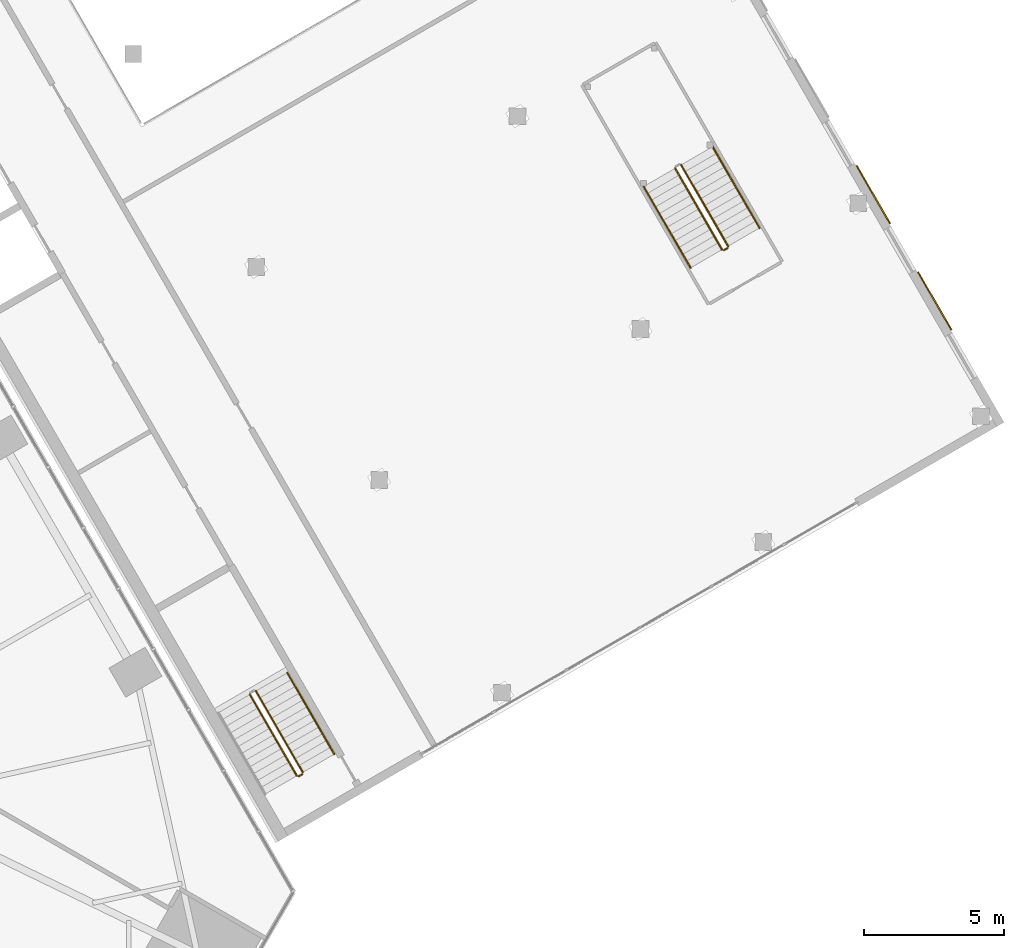
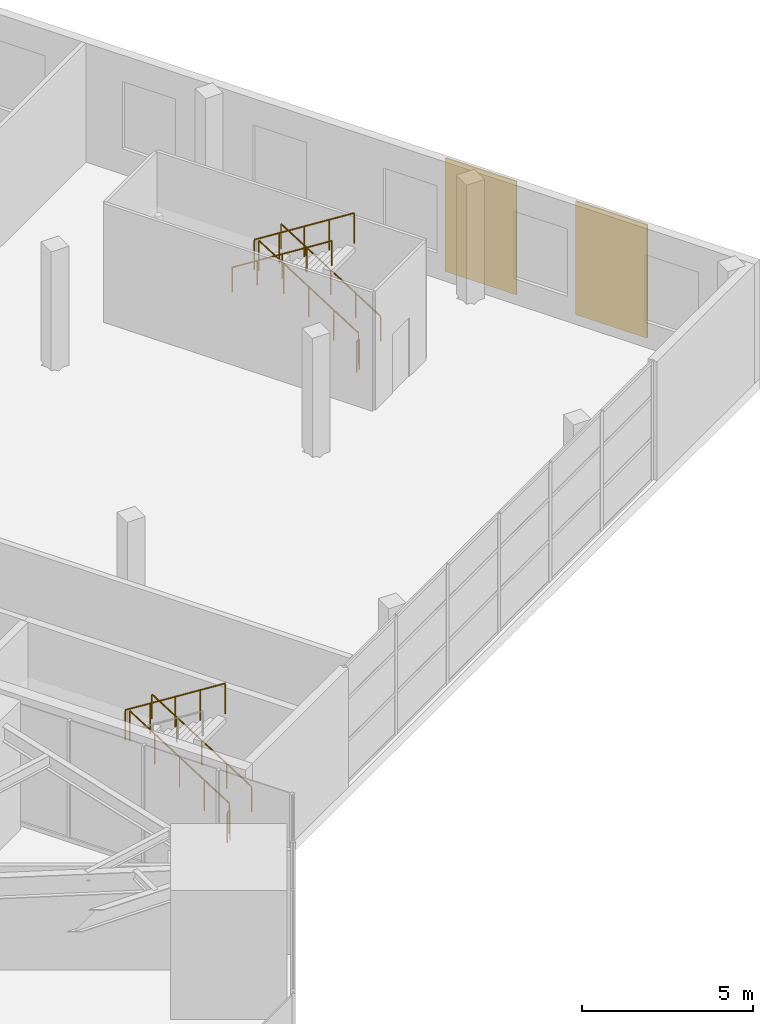
# One storey, part 27 of 30: 9 railings, 2 coverings.
"""IFC4 building model written with IfcOpenShell, lengths in metres."""

import ifcopenshell
import ifcopenshell.guid

model = None  # the IFC model being written
_history = None  # IfcOwnerHistory: only IFC2X3 demands one
_inside = {}  # id of a spatial element -> (the spatial element, [elements in it])
_under = {}  # id of a project, library or spatial element -> (it, [spatial elements below it])
_declared = {}  # id of a project -> (the project, [libraries it declares])
_typed = {}  # id of a type object -> (the type object, [elements of that type])
_made_of = {}  # id of a material, layer set ... -> (it, [elements and type objects made of it])


def new_model(schema):
    """Start an empty IFC model of exactly this schema.

    Asked for "IFC4X3", IfcOpenShell would pick the latest addendum, in which some entities
    have other attributes; the version numbers below select the first issue.
    IFC2X3 requires an IfcOwnerHistory on every rooted entity: one is made here for all.
    """
    global model, _history
    if schema == "IFC4X3":
        model = ifcopenshell.file(schema_version=(4, 3, 0, 0))
    else:
        model = ifcopenshell.file(schema=schema)
    _inside.clear()
    _under.clear()
    _declared.clear()
    _typed.clear()
    _made_of.clear()
    _history = None
    if model.schema == "IFC2X3":
        org = make("IfcOrganization", Name="unknown")
        user = make(
            "IfcPersonAndOrganization",
            ThePerson=make("IfcPerson", FamilyName="unknown"),
            TheOrganization=org,
        )
        app = make(
            "IfcApplication",
            ApplicationDeveloper=org,
            Version="unknown",
            ApplicationFullName="unknown",
            ApplicationIdentifier="unknown",
        )
        _history = make(
            "IfcOwnerHistory",
            OwningUser=user,
            OwningApplication=app,
            ChangeAction="ADDED",
            CreationDate=0,
        )
    return model


def make(cls, **values):
    """One entity of the class cls with the attributes given. An attribute that is None is left unset."""
    return model.create_entity(
        cls, **{name: value for name, value in values.items() if value is not None}
    )


def rooted(cls, **values):
    """An entity with a GlobalId (a new one), such as an element, a storey or a relation."""
    return make(cls, GlobalId=ifcopenshell.guid.new(), OwnerHistory=_history, **values)


def si_unit(unit_type, name, prefix=None):
    """IfcSIUnit, for example si_unit("LENGTHUNIT", "METRE", prefix="MILLI")."""
    return make("IfcSIUnit", UnitType=unit_type, Prefix=prefix, Name=name)


def assignment(units):
    """IfcUnitAssignment: the units of a project."""
    return None if units is None else make("IfcUnitAssignment", Units=units)


def point(xyz):
    """IfcCartesianPoint."""
    return None if xyz is None else make("IfcCartesianPoint", Coordinates=xyz)


def direction(xyz):
    """IfcDirection."""
    return None if xyz is None else make("IfcDirection", DirectionRatios=xyz)


def frame(location, z_axis=None, x_axis=None):
    """IfcAxis2Placement3D, a coordinate frame: its origin and axes. An axis left out is left unset."""
    return make(
        "IfcAxis2Placement3D",
        Location=point(location),
        Axis=direction(z_axis),
        RefDirection=direction(x_axis),
    )


def frame_2d(location, x_axis=None):
    """IfcAxis2Placement2D, a coordinate frame in the plane: its origin and x axis."""
    return make(
        "IfcAxis2Placement2D", Location=point(location), RefDirection=direction(x_axis)
    )


def origin():
    """The frame at (0, 0, 0) with its axes left unset."""
    return frame((0.0, 0.0, 0.0))


def origin_2d():
    """The frame at (0, 0) in the plane with its x axis left unset."""
    return frame_2d((0.0, 0.0))


def place(relative_to, where):
    """IfcLocalPlacement: puts the frame where relative to a parent placement (None: the world)."""
    return make(
        "IfcLocalPlacement", PlacementRelTo=relative_to, RelativePlacement=where
    )


def context(
    kind, dimensions, precision=None, world=None, true_north=None, identifier=None
):
    """IfcGeometricRepresentationContext, for example the 3D "Model" context."""
    return make(
        "IfcGeometricRepresentationContext",
        ContextIdentifier=identifier,
        ContextType=kind,
        CoordinateSpaceDimension=dimensions,
        Precision=precision,
        WorldCoordinateSystem=world,
        TrueNorth=true_north,
    )


def subcontext(parent, identifier, kind, view, scale=None):
    """IfcGeometricRepresentationSubContext, for example "Body" below "Model"."""
    return make(
        "IfcGeometricRepresentationSubContext",
        ContextIdentifier=identifier,
        ContextType=kind,
        ParentContext=parent,
        TargetScale=scale,
        TargetView=view,
    )


def project(units=None, contexts=None):
    """IfcProject with its units and contexts."""
    return rooted(
        "IfcProject",
        Name="project",
        RepresentationContexts=contexts,
        UnitsInContext=assignment(units),
    )


def spatial(cls, under=None, at=None, **own):
    """A site, building, storey or space (cls), placed at a placement, below another one or the project."""
    s = rooted(cls, ObjectPlacement=at, **own)
    if under is not None:
        _under.setdefault(under.id(), (under, []))[1].append(s)
    return s


def profile(cls, at=None, kind="AREA", **sizes):
    """A parametric profile (cls). Its sizes go by their IFC names, for example OverallWidth=200.0."""
    return make(cls, ProfileType=kind, Position=at, **sizes)


def rectangle(**sizes):
    """IfcRectangleProfileDef."""
    return profile("IfcRectangleProfileDef", **sizes)


def circle(**sizes):
    """IfcCircleProfileDef."""
    return profile("IfcCircleProfileDef", **sizes)


def extrude(swept, where, along, depth):
    """IfcExtrudedAreaSolid: the profile swept, set in the frame where, extruded along a direction by depth."""
    return make(
        "IfcExtrudedAreaSolid",
        SweptArea=swept,
        Position=where,
        ExtrudedDirection=direction(along),
        Depth=depth,
    )


def shape(context_of_items, identifier, shape_type, items):
    """IfcShapeRepresentation: the items that make up one representation, for example the "Body"."""
    return make(
        "IfcShapeRepresentation",
        ContextOfItems=context_of_items,
        RepresentationIdentifier=identifier,
        RepresentationType=shape_type,
        Items=items,
    )


def material(Name=None, Category=None):
    """IfcMaterial."""
    return make("IfcMaterial", Name=Name, Category=Category)


def layer(
    of_material, thickness, ventilated=None, Name=None, Category=None, Priority=None
):
    """IfcMaterialLayer: one layer of a wall or slab, of a material (None: an air gap)."""
    return make(
        "IfcMaterialLayer",
        Material=of_material,
        LayerThickness=thickness,
        IsVentilated=ventilated,
        Name=Name,
        Category=Category,
        Priority=Priority,
    )


def layer_set(layers, Name=None):
    """IfcMaterialLayerSet."""
    return make("IfcMaterialLayerSet", MaterialLayers=layers, LayerSetName=Name)


def made_of(thing, what):
    """Note that an element or type object is made of a material, layer set ...; save() writes the relation."""
    if what is not None:
        _made_of.setdefault(what.id(), (what, []))[1].append(thing)
    return thing


def type_object(cls, material=None, **own):
    """A type object (cls), such as IfcWallType, which elements share."""
    return made_of(rooted(cls, **own), material)


def element(
    cls,
    number,
    at=None,
    inside=None,
    cuts=None,
    type_object=None,
    material=None,
    context=None,
    identifier="Body",
    shape_type=None,
    held_by="IfcProductDefinitionShape",
    body=None,
    shapes=None,
    **own,
):
    """One element of the class cls, such as IfcWall. Its Tag is "e" and its number.

    at: its placement. inside: the storey or other place that contains it. cuts: it is an
    opening in that element (IfcRelVoidsElement). A single representation is given by context,
    identifier, shape_type and body (its items); several are given by shapes. held_by: the class
    of the entity that holds the representations. save() writes the other relations.
    """
    e = rooted(cls, Tag="e%d" % number, ObjectPlacement=at, **own)
    if body is not None:
        shapes = [shape(context, identifier, shape_type, body)]
    if shapes is not None:
        e.Representation = make(held_by, Representations=shapes)
    if inside is not None:
        _inside.setdefault(inside.id(), (inside, []))[1].append(e)
    if cuts is not None:
        rooted(
            "IfcRelVoidsElement", RelatingBuildingElement=cuts, RelatedOpeningElement=e
        )
    if type_object is not None:
        _typed.setdefault(type_object.id(), (type_object, []))[1].append(e)
    return made_of(e, material)


def aggregate(whole, parts):
    """IfcRelAggregates: a whole, such as a stair, and the parts it consists of."""
    return rooted("IfcRelAggregates", RelatingObject=whole, RelatedObjects=parts)


def save(model, path):
    """Write the relations noted so far, then the file.

    IfcRelAggregates (storeys below a building ...), IfcRelContainedInSpatialStructure (elements
    in a storey), IfcRelDefinesByType, IfcRelAssociatesMaterial and IfcRelDeclares: one each for
    every whole, place, type object, material and project.
    """
    for whole, parts in _under.values():
        aggregate(whole, parts)
    for where, things in _inside.values():
        rooted(
            "IfcRelContainedInSpatialStructure",
            RelatedElements=things,
            RelatingStructure=where,
        )
    for kind, things in _typed.values():
        rooted("IfcRelDefinesByType", RelatedObjects=things, RelatingType=kind)
    for what, things in _made_of.values():
        rooted("IfcRelAssociatesMaterial", RelatedObjects=things, RelatingMaterial=what)
    for by, libraries in _declared.values():
        rooted("IfcRelDeclares", RelatingContext=by, RelatedDefinitions=libraries)
    model.write(path)


model = new_model("IFC4")

# Units and contexts
model_context = context("Model", 3, precision=1e-05, world=origin(), true_north=direction((0.0, 1.0)))
body_context = subcontext(model_context, "Body", "Model", "MODEL_VIEW")
ifc_project = project(units=[si_unit("LENGTHUNIT", "METRE"), si_unit("AREAUNIT", "SQUARE_METRE"), si_unit("VOLUMEUNIT", "CUBIC_METRE"), si_unit("PLANEANGLEUNIT", "RADIAN"), si_unit("MASSUNIT", "GRAM", prefix="KILO")], contexts=[model_context])

# Site, building, storey
site_placement = place(None, origin())
site = spatial("IfcSite", under=ifc_project, at=site_placement, CompositionType="ELEMENT")
building_placement = place(site_placement, origin())
building = spatial("IfcBuilding", under=site, at=building_placement, Name="Firuza Gate Tower and Library", CompositionType="ELEMENT")
storey_placement = place(building_placement, frame((0.0, 0.0, 12.60009765625)))
storey = spatial("IfcBuildingStorey", under=building, at=storey_placement, Name="L02", CompositionType="ELEMENT", Elevation=12.60009765625)

# Railings
ifc_material_1 = material(Name="Steel S355", Category="steel")
railing_type_1 = type_object("IfcRailingType", Name="LIB GUARD", PredefinedType="GUARDRAIL", material=ifc_material_1)
railing_1_placement = place(storey_placement, frame((107.815185546875, 64.73193359375, 0.1767578125)))
element("IfcRailing", 1, at=railing_1_placement, inside=storey, type_object=railing_type_1, Name="L02 LIB-ST-B stair guard 1", PredefinedType="GUARDRAIL", context=body_context, shape_type="SweptSolid", body=[
    extrude(circle(Radius=0.02392578125, at=origin_2d()), frame((0.0, 0.0, 1.076171875), z_axis=(-0.422741098572, 0.732087825164, 0.534169804298), x_axis=(-0.865989548921, -0.500062097304, 0.0)), (0.0, 0.0, 1.0), 3.974365234375),
    extrude(circle(Radius=0.02099609375, at=origin_2d()), origin(), (0.0, 0.0, 1.0), 1.052001953125),
    extrude(circle(Radius=0.02099609375, at=origin_2d()), frame((-0.419921875, 0.7275390625, 0.53076171875)), (0.0, 0.0, 1.0), 1.052001953125),
    extrude(circle(Radius=0.02099609375, at=origin_2d()), frame((-0.840087890625, 1.454833984375, 1.0615234375)), (0.0, 0.0, 1.0), 1.052001953125),
    extrude(circle(Radius=0.02099609375, at=origin_2d()), frame((-1.26025390625, 2.18212890625, 1.59228515625)), (0.0, 0.0, 1.0), 1.052001953125),
    extrude(circle(Radius=0.02099609375, at=origin_2d()), frame((-1.68017578125, 2.90966796875, 2.123046875)), (0.0, 0.0, 1.0), 1.052001953125),
])
railing_2_placement = place(storey_placement, frame((105.91845703125, 67.5166015625, 2.476806640625)))
element("IfcRailing", 2, at=railing_2_placement, inside=storey, type_object=railing_type_1, Name="L02 LIB-ST-B stair guard 3", PredefinedType="GUARDRAIL", context=body_context, shape_type="SweptSolid", body=[
    extrude(circle(Radius=0.02392578125, at=origin_2d()), frame((0.0, 0.0, 1.076171875), z_axis=(0.422741098572, -0.732087825164, 0.534169804298), x_axis=(0.865989548921, 0.500062097304, 0.0)), (0.0, 0.0, 1.0), 3.974365234375),
    extrude(circle(Radius=0.02099609375, at=origin_2d()), origin(), (0.0, 0.0, 1.0), 1.052001953125),
    extrude(circle(Radius=0.02099609375, at=origin_2d()), frame((0.419921875, -0.7275390625, 0.53076171875)), (0.0, 0.0, 1.0), 1.052001953125),
    extrude(circle(Radius=0.02099609375, at=origin_2d()), frame((0.840087890625, -1.454833984375, 1.0615234375)), (0.0, 0.0, 1.0), 1.052001953125),
    extrude(circle(Radius=0.02099609375, at=origin_2d()), frame((1.26025390625, -2.18212890625, 1.59228515625)), (0.0, 0.0, 1.0), 1.052001953125),
    extrude(circle(Radius=0.02099609375, at=origin_2d()), frame((1.68017578125, -2.90966796875, 2.123046875)), (0.0, 0.0, 1.0), 1.052001953125),
])
railing_3_placement = place(storey_placement, frame((107.796875, 64.66357421875, 0.0)))
element("IfcRailing", 3, at=railing_3_placement, inside=storey, type_object=railing_type_1, Name="L02 LIB-ST-B stair guard 4", PredefinedType="GUARDRAIL", context=body_context, shape_type="SweptSolid", body=[
    extrude(circle(Radius=0.02392578125, at=origin_2d()), frame((0.0, 0.0, 1.076171875), z_axis=(-0.866537231285, -0.499112439033, 0.0), x_axis=(0.499112439033, -0.866537231285, 0.0)), (0.0, 0.0, 1.0), 0.150146484375),
    extrude(circle(Radius=0.02099609375, at=origin_2d()), origin(), (0.0, 0.0, 1.0), 1.052001953125),
    extrude(circle(Radius=0.02099609375, at=origin_2d()), frame((-0.130126953125, -0.074951171875, 0.0)), (0.0, 0.0, 1.0), 1.052001953125),
])
railing_4_placement = place(storey_placement, frame((123.037353515625, 83.566162109375, 0.1767578125)))
element("IfcRailing", 4, at=railing_4_placement, inside=storey, type_object=railing_type_1, Name="L02 LIB-ST-C stair guard 1", PredefinedType="GUARDRAIL", context=body_context, shape_type="SweptSolid", body=[
    extrude(circle(Radius=0.02392578125, at=origin_2d()), frame((0.0, 0.0, 1.076171875), z_axis=(-0.422722088385, 0.732116328315, 0.534145783289), x_axis=(-0.866007717299, -0.500030632641, 0.0)), (0.0, 0.0, 1.0), 3.974609375),
    extrude(circle(Radius=0.02099609375, at=origin_2d()), origin(), (0.0, 0.0, 1.0), 1.052001953125),
    extrude(circle(Radius=0.02099609375, at=origin_2d()), frame((-0.419921875, 0.7275390625, 0.53076171875)), (0.0, 0.0, 1.0), 1.052001953125),
    extrude(circle(Radius=0.02099609375, at=origin_2d()), frame((-0.840087890625, 1.455078125, 1.0615234375)), (0.0, 0.0, 1.0), 1.052001953125),
    extrude(circle(Radius=0.02099609375, at=origin_2d()), frame((-1.26025390625, 2.182373046875, 1.59228515625)), (0.0, 0.0, 1.0), 1.052001953125),
    extrude(circle(Radius=0.02099609375, at=origin_2d()), frame((-1.68017578125, 2.909912109375, 2.123046875)), (0.0, 0.0, 1.0), 1.052001953125),
])
railing_5_placement = place(storey_placement, frame((121.140869140625, 86.35107421875, 2.476806640625)))
element("IfcRailing", 5, at=railing_5_placement, inside=storey, type_object=railing_type_1, Name="L02 LIB-ST-C stair guard 3", PredefinedType="GUARDRAIL", context=body_context, shape_type="SweptSolid", body=[
    extrude(circle(Radius=0.02392578125, at=origin_2d()), frame((0.0, 0.0, 1.076171875), z_axis=(0.422671638265, -0.732135337376, 0.534159652137), x_axis=(0.866039179741, 0.499976138585, 0.0)), (0.0, 0.0, 1.0), 3.974609375),
    extrude(circle(Radius=0.02099609375, at=origin_2d()), origin(), (0.0, 0.0, 1.0), 1.052001953125),
    extrude(circle(Radius=0.02099609375, at=origin_2d()), frame((0.419921875, -0.7275390625, 0.53076171875)), (0.0, 0.0, 1.0), 1.052001953125),
    extrude(circle(Radius=0.02099609375, at=origin_2d()), frame((0.83984375, -1.455078125, 1.0615234375)), (0.0, 0.0, 1.0), 1.052001953125),
    extrude(circle(Radius=0.02099609375, at=origin_2d()), frame((1.260009765625, -2.182373046875, 1.59228515625)), (0.0, 0.0, 1.0), 1.052001953125),
    extrude(circle(Radius=0.02099609375, at=origin_2d()), frame((1.679931640625, -2.909912109375, 2.123046875)), (0.0, 0.0, 1.0), 1.052001953125),
])
railing_6_placement = place(storey_placement, frame((123.01904296875, 83.498046875, 0.0)))
element("IfcRailing", 6, at=railing_6_placement, inside=storey, type_object=railing_type_1, Name="L02 LIB-ST-C stair guard 4", PredefinedType="GUARDRAIL", context=body_context, shape_type="SweptSolid", body=[
    extrude(circle(Radius=0.02392578125, at=origin_2d()), frame((0.0, 0.0, 1.076171875), z_axis=(-0.865426285481, -0.501036270542, 0.0), x_axis=(0.501036270542, -0.865426285481, 0.0)), (0.0, 0.0, 1.0), 0.150146484375),
    extrude(circle(Radius=0.02099609375, at=origin_2d()), origin(), (0.0, 0.0, 1.0), 1.052001953125),
    extrude(circle(Radius=0.02099609375, at=origin_2d()), frame((-0.1298828125, -0.0751953125, 0.0)), (0.0, 0.0, 1.0), 1.052001953125),
])
ifc_material_2 = material(Name="Steel S355", Category="steel")
railing_type_2 = type_object("IfcRailingType", Name="LIB HANDRAIL", PredefinedType="HANDRAIL", material=ifc_material_2)
railing_7_placement = place(storey_placement, frame((108.94091796875, 65.3818359375, 0.1767578125)))
element("IfcRailing", 7, at=railing_7_placement, inside=storey, type_object=railing_type_2, Name="L02 LIB-ST-B stair handrail 1", PredefinedType="HANDRAIL", context=body_context, shape_type="SweptSolid", body=[
    extrude(circle(Radius=0.02392578125, at=origin_2d()), frame((0.0, 0.0, 0.8759765625), z_axis=(-0.422671638265, 0.732135337376, 0.534159652137), x_axis=(-0.866039179741, -0.499976138585, 0.0)), (0.0, 0.0, 1.0), 3.974609375),
    extrude(circle(Radius=0.02099609375, at=origin_2d()), origin(), (0.0, 0.0, 1.0), 0.851806640625),
    extrude(circle(Radius=0.02099609375, at=origin_2d()), frame((-0.419921875, 0.7275390625, 0.53076171875)), (0.0, 0.0, 1.0), 0.851806640625),
    extrude(circle(Radius=0.02099609375, at=origin_2d()), frame((-0.83984375, 1.455078125, 1.0615234375)), (0.0, 0.0, 1.0), 0.851806640625),
    extrude(circle(Radius=0.02099609375, at=origin_2d()), frame((-1.260009765625, 2.182373046875, 1.59228515625)), (0.0, 0.0, 1.0), 0.851806640625),
    extrude(circle(Radius=0.02099609375, at=origin_2d()), frame((-1.679931640625, 2.909912109375, 2.123046875)), (0.0, 0.0, 1.0), 0.851806640625),
])
railing_8_placement = place(storey_placement, frame((124.1630859375, 84.21630859375, 0.1767578125)))
element("IfcRailing", 8, at=railing_8_placement, inside=storey, type_object=railing_type_2, Name="L02 LIB-ST-C stair handrail 1", PredefinedType="HANDRAIL", context=body_context, shape_type="SweptSolid", body=[
    extrude(circle(Radius=0.02392578125, at=origin_2d()), frame((0.0, 0.0, 0.8759765625), z_axis=(-0.42269064717, 0.732106835195, 0.534183675017), x_axis=(-0.866021014662, -0.500007602105, 0.0)), (0.0, 0.0, 1.0), 3.974365234375),
    extrude(circle(Radius=0.02099609375, at=origin_2d()), origin(), (0.0, 0.0, 1.0), 0.851806640625),
    extrude(circle(Radius=0.02099609375, at=origin_2d()), frame((-0.419921875, 0.7275390625, 0.53076171875)), (0.0, 0.0, 1.0), 0.851806640625),
    extrude(circle(Radius=0.02099609375, at=origin_2d()), frame((-0.83984375, 1.454833984375, 1.0615234375)), (0.0, 0.0, 1.0), 0.851806640625),
    extrude(circle(Radius=0.02099609375, at=origin_2d()), frame((-1.260009765625, 2.18212890625, 1.59228515625)), (0.0, 0.0, 1.0), 0.851806640625),
    extrude(circle(Radius=0.02099609375, at=origin_2d()), frame((-1.679931640625, 2.90966796875, 2.123046875)), (0.0, 0.0, 1.0), 0.851806640625),
])
railing_9_placement = place(storey_placement, frame((120.014892578125, 85.701171875, 2.476806640625)))
element("IfcRailing", 9, at=railing_9_placement, inside=storey, type_object=railing_type_2, Name="L02 LIB-ST-C stair handrail 2", PredefinedType="HANDRAIL", context=body_context, shape_type="SweptSolid", body=[
    extrude(circle(Radius=0.02392578125, at=origin_2d()), frame((0.0, 0.0, 0.8759765625), z_axis=(0.422671638265, -0.732135337376, 0.534159652137), x_axis=(0.866039179741, 0.499976138585, 0.0)), (0.0, 0.0, 1.0), 3.974609375),
    extrude(circle(Radius=0.02099609375, at=origin_2d()), origin(), (0.0, 0.0, 1.0), 0.851806640625),
    extrude(circle(Radius=0.02099609375, at=origin_2d()), frame((0.419921875, -0.7275390625, 0.53076171875)), (0.0, 0.0, 1.0), 0.851806640625),
    extrude(circle(Radius=0.02099609375, at=origin_2d()), frame((0.83984375, -1.455078125, 1.0615234375)), (0.0, 0.0, 1.0), 0.851806640625),
    extrude(circle(Radius=0.02099609375, at=origin_2d()), frame((1.260009765625, -2.182373046875, 1.59228515625)), (0.0, 0.0, 1.0), 0.851806640625),
    extrude(circle(Radius=0.02099609375, at=origin_2d()), frame((1.679931640625, -2.909912109375, 2.123046875)), (0.0, 0.0, 1.0), 0.851806640625),
])

# Coverings
ifc_material_3 = material(Name="Turquoise glazed ceramic tile")
ifc_layer_1 = layer(ifc_material_3, 0.050048828125)
ifc_layer_set_1 = layer_set([ifc_layer_1], Name="LIB TILE CLADDING")
covering_type_1 = type_object("IfcCoveringType", Name="LIB TILE CLADDING", PredefinedType="CLADDING", material=ifc_layer_set_1)
covering_1_placement = place(storey_placement, frame((130.435302734375, 81.602294921875, 0.099853515625), z_axis=(0.0, 0.0, 1.0), x_axis=(-0.5, 0.866025403784, 0.0)))
element("IfcCovering", 10, at=covering_1_placement, inside=storey, type_object=covering_type_1, Name="L02 TILE panel 1", PredefinedType="CLADDING", context=body_context, shape_type="SweptSolid", body=[
    extrude(rectangle(XDim=2.39990234375, YDim=0.050048828125, at=origin_2d()), origin(), (0.0, 0.0, 1.0), 4.0400390625),
])
ifc_material_4 = material(Name="Cobalt glazed ceramic tile")
ifc_layer_2 = layer(ifc_material_4, 0.050048828125)
ifc_layer_set_2 = layer_set([ifc_layer_2], Name="LIB TILE CLADDING COBALT")
covering_type_2 = type_object("IfcCoveringType", Name="LIB TILE CLADDING COBALT", PredefinedType="CLADDING", material=ifc_layer_set_2)
covering_2_placement = place(storey_placement, frame((128.2353515625, 85.412841796875, 0.099853515625), z_axis=(0.0, 0.0, 1.0), x_axis=(-0.5, 0.866025403784, 0.0)))
element("IfcCovering", 11, at=covering_2_placement, inside=storey, type_object=covering_type_2, Name="L02 TILE panel 2", PredefinedType="CLADDING", context=body_context, shape_type="SweptSolid", body=[
    extrude(rectangle(XDim=2.39990234375, YDim=0.050048828125, at=origin_2d()), origin(), (0.0, 0.0, 1.0), 4.0400390625),
])

save(model, "model.ifc")
